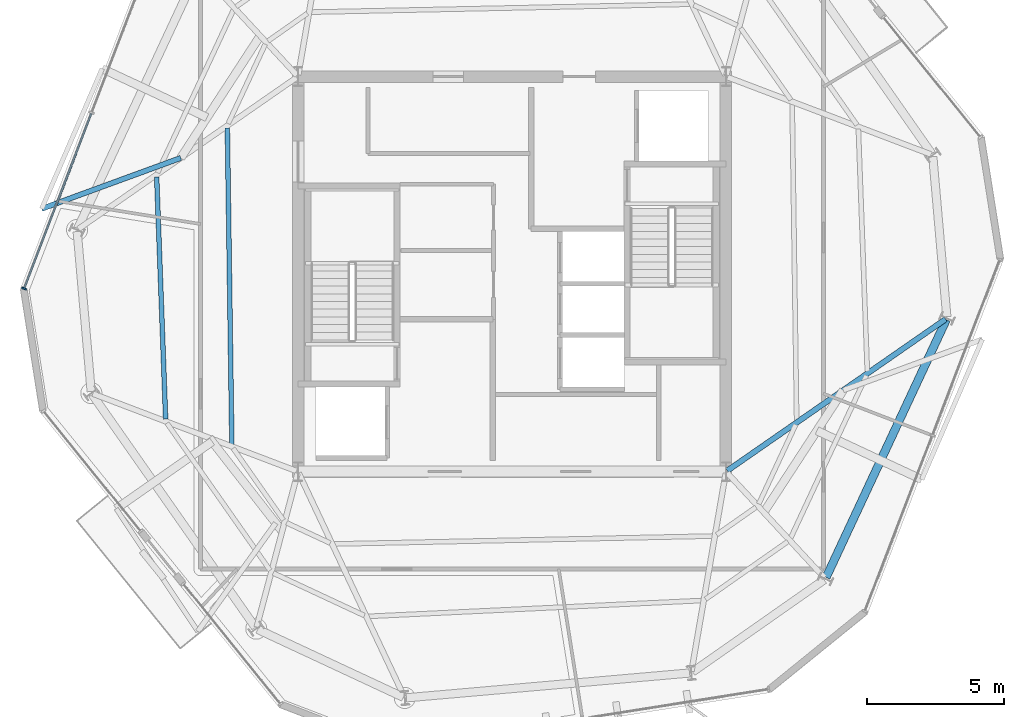
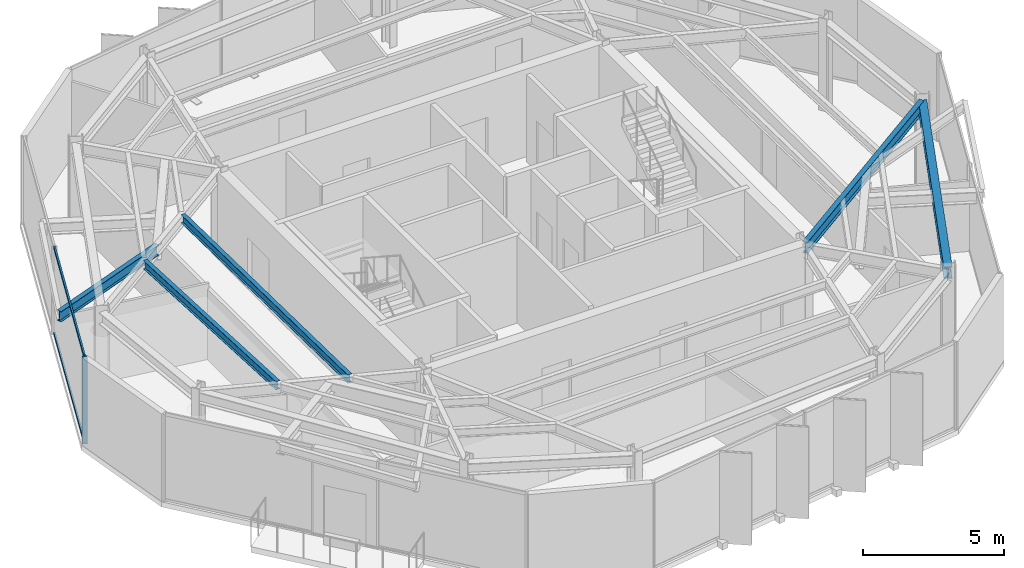
# One storey, part 3 of 10: 5 beams, 3 members, 1 element without a shape of its own.
"""IFC4 building model written with IfcOpenShell, lengths in metres."""

from ifc_helpers import new_model, si_unit, direction, frame, origin, origin_2d, place, context, subcontext, project, spatial, rectangle, i_section, extrude, material, layer, layer_set, material_profile, profile_set, type_object, element, aggregate, save


model = new_model("IFC4")

# Units and contexts
model_context = context("Model", 3, precision=1e-05, world=origin(), true_north=direction((0.0, 1.0)))
body_context = subcontext(model_context, "Body", "Model", "MODEL_VIEW")
ifc_project = project(units=[si_unit("LENGTHUNIT", "METRE"), si_unit("AREAUNIT", "SQUARE_METRE"), si_unit("VOLUMEUNIT", "CUBIC_METRE"), si_unit("PLANEANGLEUNIT", "RADIAN"), si_unit("MASSUNIT", "GRAM", prefix="KILO")], contexts=[model_context])

# Site, building, storey
site_placement = place(None, origin())
site = spatial("IfcSite", under=ifc_project, at=site_placement, CompositionType="ELEMENT")
building_placement = place(site_placement, origin())
building = spatial("IfcBuilding", under=site, at=building_placement, Name="Kranzbogen Civic Tower", CompositionType="ELEMENT")
storey_placement = place(building_placement, frame((0.0, 0.0, 302.199951171875)))
storey = spatial("IfcBuildingStorey", under=building, at=storey_placement, Name="L73", CompositionType="ELEMENT", Elevation=302.199951171875)

# Beam
ifc_material_1 = material(Name="Steel S355", Category="steel")
ifc_material_profile_1 = material_profile(ifc_material_1, i_section(OverallWidth=0.18994140625, OverallDepth=0.449951171875, WebThickness=0.009521484375, FlangeThickness=0.0146484375, at=origin_2d()), Name="IPE 450")
ifc_profile_set_1 = profile_set([ifc_material_profile_1], Name="Steel S355")
beam_type_1 = type_object("IfcBeamType", Name="Braced Terrace Edge Beam IPE 450", PredefinedType="BEAM", material=ifc_profile_set_1)
beam_1_placement = place(storey_placement, frame((12.924072265625, 29.23291015625, 3.525146484375), z_axis=(-0.939213597801, -0.343333391481, 0.0), x_axis=(0.343333391481, -0.939213597801, 0.0)))
element("IfcBeam", 1, at=beam_1_placement, inside=storey, type_object=beam_type_1, Name="L74 back-spanned terrace beam L74-TB1-2", PredefinedType="BEAM", context=body_context, shape_type="SweptSolid", body=[
    extrude(i_section(OverallWidth=0.18994140625, OverallDepth=0.449951171875, WebThickness=0.009521484375, FlangeThickness=0.0146484375, at=origin_2d()), origin(), (0.0, 0.0, 1.0), 5.397216796875),
])

# Curtain wall, members
ifc_material_2 = material(Name="Pale Anodised Aluminium", Category="aluminium")
ifc_layer = layer(ifc_material_2, 0.219970703125, Name="Pale Anodised Aluminium")
ifc_layer_set = layer_set([ifc_layer], Name="Pale Anodised Aluminium")
curtain_wall_type = type_object("IfcCurtainWallType", Name="Zone 4 Stick Curtain Wall System CW-05", PredefinedType="USERDEFINED", material=ifc_layer_set)
curtain_wall_placement = place(storey_placement, origin())
curtain_wall = element("IfcCurtainWall", 2, at=curtain_wall_placement, inside=storey, type_object=curtain_wall_type, Name="L73 curtain wall CW-L73-F2", ObjectType="STICK CURTAIN WALL", PredefinedType="USERDEFINED")
ifc_material_profile_2 = material_profile(ifc_material_2, rectangle(XDim=0.06494140625, YDim=0.179931640625, at=origin_2d()), Name="ALU-M 65x180")
ifc_profile_set_2 = profile_set([ifc_material_profile_2], Name="Pale Anodised Aluminium")
member_type_1 = type_object("IfcMemberType", Name="Curtain Wall Mullion ALU-M 65x180", PredefinedType="MULLION", material=ifc_profile_set_2)
member_1_placement = place(storey_placement, frame((7.216796875, 24.469970703125, 0.0), z_axis=(0.0, 0.0, 1.0), x_axis=(-0.358381538796, -0.933575209959, 0.0)))
member_1 = element("IfcMember", 3, at=member_1_placement, type_object=member_type_1, Name="CW-05 mullion 3", PredefinedType="MULLION", context=body_context, shape_type="SweptSolid", body=[
    extrude(rectangle(XDim=0.06494140625, YDim=0.179931640625, at=origin_2d()), origin(), (0.0, 0.0, 1.0), 3.780029296875),
])
ifc_material_profile_3 = material_profile(ifc_material_2, rectangle(XDim=0.06494140625, YDim=0.135009765625, at=origin_2d()), Name="ALU-T 65x135")
ifc_profile_set_3 = profile_set([ifc_material_profile_3], Name="Pale Anodised Aluminium")
member_type_2 = type_object("IfcMemberType", Name="Curtain Wall Transom ALU-T 65x135", PredefinedType="USERDEFINED", material=ifc_profile_set_3)
member_2_placement = place(storey_placement, frame((9.667236328125, 30.853515625, 0.030029296875), z_axis=(-0.358375808773, -0.933577409584, 0.0), x_axis=(0.933577409584, -0.358375808773, 0.0)))
member_2 = element("IfcMember", 4, at=member_2_placement, type_object=member_type_2, Name="CW-05 transom 2.1", ObjectType="TRANSOM", PredefinedType="USERDEFINED", context=body_context, shape_type="SweptSolid", body=[
    extrude(rectangle(XDim=0.06494140625, YDim=0.135009765625, at=origin_2d()), origin(), (0.0, 0.0, 1.0), 6.8076171875),
])
member_3_placement = place(storey_placement, frame((9.667236328125, 30.853515625, 3.75), z_axis=(-0.358375808773, -0.933577409584, 0.0), x_axis=(0.933577409584, -0.358375808773, 0.0)))
member_3 = element("IfcMember", 5, at=member_3_placement, type_object=member_type_2, Name="CW-05 transom 2.2", ObjectType="TRANSOM", PredefinedType="USERDEFINED", context=body_context, shape_type="SweptSolid", body=[
    extrude(rectangle(XDim=0.06494140625, YDim=0.135009765625, at=origin_2d()), origin(), (0.0, 0.0, 1.0), 6.8076171875),
])
aggregate(curtain_wall, [member_1, member_2, member_3])

# Beams
ifc_material_profile_4 = material_profile(ifc_material_1, i_section(OverallWidth=0.300048828125, OverallDepth=0.5, WebThickness=0.014404296875, FlangeThickness=0.028076171875, at=origin_2d()), Name="HEB 500")
ifc_profile_set_4 = profile_set([ifc_material_profile_4], Name="Steel S355")
beam_type_2 = type_object("IfcBeamType", Name="Perimeter Tube Spandrel Beam HEB 500", PredefinedType="SPANDREL", material=ifc_profile_set_4)
beam_2_placement = place(storey_placement, frame((36.449951171875, 13.944091796875, 3.530029296875), z_axis=(0.422668780888, 0.906284227857, 0.0), x_axis=(-0.906284227857, 0.422668780888, 0.0)))
element("IfcBeam", 6, at=beam_2_placement, inside=storey, type_object=beam_type_2, Name="L73 perimeter spandrel beam 05", PredefinedType="SPANDREL", context=body_context, shape_type="SweptSolid", body=[
    extrude(i_section(OverallWidth=0.300048828125, OverallDepth=0.5, WebThickness=0.014404296875, FlangeThickness=0.028076171875, at=origin_2d()), origin(), (0.0, 0.0, 1.0), 10.363037109375),
])
ifc_material_profile_5 = material_profile(ifc_material_1, i_section(OverallWidth=0.199951171875, OverallDepth=0.5, WebThickness=0.01025390625, FlangeThickness=0.01611328125, at=origin_2d()), Name="IPE 500")
ifc_profile_set_5 = profile_set([ifc_material_profile_5], Name="Steel S355")
beam_type_3 = type_object("IfcBeamType", Name="Radial Tower Floor Girder IPE 500", PredefinedType="BEAM", material=ifc_profile_set_5)
beam_3_placement = place(storey_placement, frame((40.805908203125, 23.35595703125, 3.530029296875), z_axis=(-0.821542812331, -0.570146829779, 0.0), x_axis=(0.570146829779, -0.821542812331, 0.0)))
element("IfcBeam", 7, at=beam_3_placement, inside=storey, type_object=beam_type_3, Name="L73 radial floor girder 06", PredefinedType="BEAM", context=body_context, shape_type="SweptSolid", body=[
    extrude(i_section(OverallWidth=0.199951171875, OverallDepth=0.5, WebThickness=0.01025390625, FlangeThickness=0.01611328125, at=origin_2d()), origin(), (0.0, 0.0, 1.0), 9.68505859375),
])
ifc_material_profile_6 = material_profile(ifc_material_1, i_section(OverallWidth=0.169921875, OverallDepth=0.360107421875, WebThickness=0.008056640625, FlangeThickness=0.0126953125, at=origin_2d()), Name="IPE 360")
ifc_profile_set_6 = profile_set([ifc_material_profile_6], Name="Steel S355")
beam_type_4 = type_object("IfcBeamType", Name="Secondary Composite Floor Joist IPE 360", PredefinedType="JOIST", material=ifc_profile_set_6)
beam_4_placement = place(storey_placement, frame((12.048095703125, 28.5419921875, 3.60009765625), z_axis=(0.036992246074, -0.999315552631, 0.0), x_axis=(0.999315552631, 0.036992246074, 0.0)))
element("IfcBeam", 8, at=beam_4_placement, inside=storey, type_object=beam_type_4, Name="L73 secondary floor joist 1.12", PredefinedType="JOIST", context=body_context, shape_type="SweptSolid", body=[
    extrude(i_section(OverallWidth=0.169921875, OverallDepth=0.360107421875, WebThickness=0.008056640625, FlangeThickness=0.0126953125, at=origin_2d()), origin(), (0.0, 0.0, 1.0), 8.837158203125),
])
beam_5_placement = place(storey_placement, frame((14.6240234375, 30.3310546875, 3.60009765625), z_axis=(0.014221385906, -0.999898870978, 0.0), x_axis=(0.999898870978, 0.014221385906, 0.0)))
element("IfcBeam", 9, at=beam_5_placement, inside=storey, type_object=beam_type_4, Name="L73 secondary floor joist 2.12", PredefinedType="JOIST", context=body_context, shape_type="SweptSolid", body=[
    extrude(i_section(OverallWidth=0.169921875, OverallDepth=0.360107421875, WebThickness=0.008056640625, FlangeThickness=0.0126953125, at=origin_2d()), origin(), (0.0, 0.0, 1.0), 11.536376953125),
])

save(model, "model.ifc")
